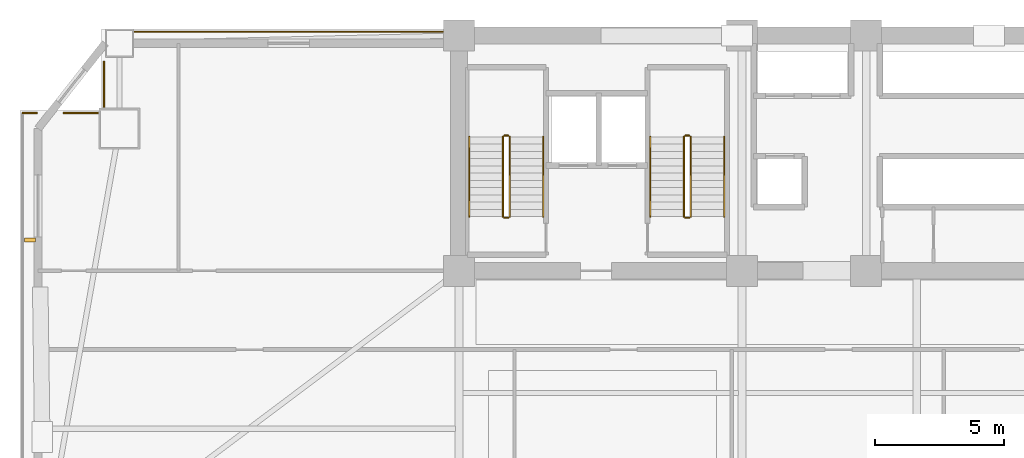
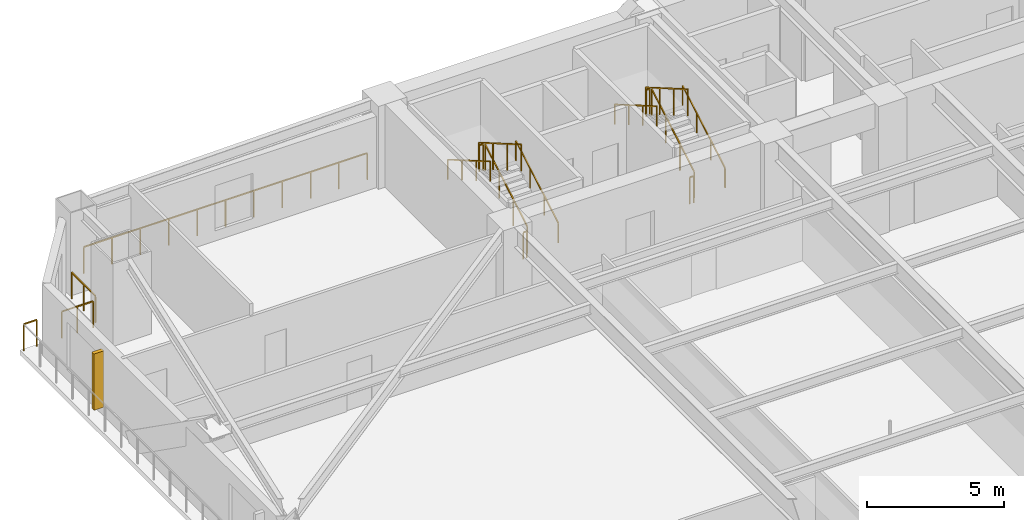
# One storey, part 15 of 17: 16 railings, 1 shading device.
"""IFC4 building model written with IfcOpenShell, lengths in metres."""

from ifc_helpers import new_model, si_unit, direction, frame, origin, origin_2d, place, context, subcontext, project, spatial, rectangle, extrude, source, transform, mapped, material, type_object, element, save


model = new_model("IFC4")

# Units and contexts
model_context = context("Model", 3, precision=1e-05, world=origin(), true_north=direction((0.0, 1.0)))
body_context = subcontext(model_context, "Body", "Model", "MODEL_VIEW")
ifc_project = project(units=[si_unit("LENGTHUNIT", "METRE"), si_unit("AREAUNIT", "SQUARE_METRE"), si_unit("VOLUMEUNIT", "CUBIC_METRE"), si_unit("PLANEANGLEUNIT", "RADIAN"), si_unit("MASSUNIT", "GRAM", prefix="KILO")], contexts=[model_context])

# Site, building, storey
site_placement = place(None, origin())
site = spatial("IfcSite", under=ifc_project, at=site_placement, CompositionType="ELEMENT")
building_placement = place(site_placement, origin())
building = spatial("IfcBuilding", under=site, at=building_placement, Name="Giltprow Tower", CompositionType="ELEMENT")
storey_placement = place(building_placement, frame((0.0, 0.0, 53.300048828125)))
storey = spatial("IfcBuildingStorey", under=building, at=storey_placement, Name="L13", CompositionType="ELEMENT", Elevation=53.300048828125)

# Railings
ifc_material = material(Name="Anodized bronze", Category="metal")
railing_type_1 = type_object("IfcRailingType", Name="RAIL-BALC-GUARD-1200", PredefinedType="BALUSTRADE", material=ifc_material)
railing_1_placement = place(storey_placement, frame((2.969970703125, 43.552001953125, 0.0)))
element("IfcRailing", 1, at=railing_1_placement, inside=storey, type_object=railing_type_1, Name="L13 Corner Apron Edge Balustrade 6", PredefinedType="BALUSTRADE", context=body_context, shape_type="SweptSolid", body=[
    extrude(rectangle(XDim=0.048095703125, YDim=0.048095703125, at=origin_2d()), frame((0.0, 0.0, 1.17578125), z_axis=(1.0, 0.0, 0.0), x_axis=(0.0, 1.0, 0.0)), (0.0, 0.0, 1.0), 0.551025390625),
    extrude(rectangle(XDim=0.0419921875, YDim=0.0419921875, at=origin_2d()), origin(), (0.0, 0.0, 1.0), 1.15185546875),
    extrude(rectangle(XDim=0.0419921875, YDim=0.0419921875, at=origin_2d()), frame((0.551025390625, 0.0, 0.0)), (0.0, 0.0, 1.0), 1.15185546875),
])
railing_2_placement = place(storey_placement, frame((4.56494140625, 43.552001953125, 0.0)))
element("IfcRailing", 2, at=railing_2_placement, inside=storey, type_object=railing_type_1, Name="L13 Corner Apron Edge Balustrade 7", PredefinedType="BALUSTRADE", context=body_context, shape_type="SweptSolid", body=[
    extrude(rectangle(XDim=0.048095703125, YDim=0.048095703125, at=origin_2d()), frame((0.0, 0.0, 1.17578125), z_axis=(1.0, 0.0, 0.0), x_axis=(0.0, 1.0, 0.0)), (0.0, 0.0, 1.0), 1.318115234375),
    extrude(rectangle(XDim=0.0419921875, YDim=0.0419921875, at=origin_2d()), origin(), (0.0, 0.0, 1.0), 1.15185546875),
    extrude(rectangle(XDim=0.0419921875, YDim=0.0419921875, at=origin_2d()), frame((0.6591796875, 0.0, 0.0)), (0.0, 0.0, 1.0), 1.15185546875),
    extrude(rectangle(XDim=0.0419921875, YDim=0.0419921875, at=origin_2d()), frame((1.318115234375, 0.0, 0.0)), (0.0, 0.0, 1.0), 1.15185546875),
])
railing_3_placement = place(storey_placement, frame((6.117919921875, 43.787109375, 0.0)))
element("IfcRailing", 3, at=railing_3_placement, inside=storey, type_object=railing_type_1, Name="L13 Corner Apron Edge Balustrade 8", PredefinedType="BALUSTRADE", context=body_context, shape_type="SweptSolid", body=[
    extrude(rectangle(XDim=0.048095703125, YDim=0.048095703125, at=origin_2d()), frame((0.0, 0.0, 1.17578125), z_axis=(0.0, 1.0, 0.0), x_axis=(-1.0, 0.0, 0.0)), (0.0, 0.0, 1.0), 1.73681640625),
    extrude(rectangle(XDim=0.0419921875, YDim=0.0419921875, at=origin_2d()), origin(), (0.0, 0.0, 1.0), 1.15185546875),
    extrude(rectangle(XDim=0.0419921875, YDim=0.0419921875, at=origin_2d()), frame((0.0, 0.868408203125, 0.0)), (0.0, 0.0, 1.0), 1.15185546875),
    extrude(rectangle(XDim=0.0419921875, YDim=0.0419921875, at=origin_2d()), frame((0.0, 1.73681640625, 0.0)), (0.0, 0.0, 1.0), 1.15185546875),
])
railing_4_placement = place(storey_placement, frame((7.302978515625, 46.699951171875, 0.0)))
element("IfcRailing", 4, at=railing_4_placement, inside=storey, type_object=railing_type_1, Name="L13 Corner Apron Edge Balustrade 9", PredefinedType="BALUSTRADE", context=body_context, shape_type="SweptSolid", body=[
    extrude(rectangle(XDim=0.048095703125, YDim=0.048095703125, at=origin_2d()), frame((0.0, 0.0, 1.17578125), z_axis=(1.0, 0.0, 0.0), x_axis=(0.0, 1.0, 0.0)), (0.0, 0.0, 1.0), 11.912109375),
    extrude(rectangle(XDim=0.0419921875, YDim=0.0419921875, at=origin_2d()), origin(), (0.0, 0.0, 1.0), 1.15185546875),
    extrude(rectangle(XDim=0.0419921875, YDim=0.0419921875, at=origin_2d()), frame((1.191162109375, 0.0, 0.0)), (0.0, 0.0, 1.0), 1.15185546875),
    extrude(rectangle(XDim=0.0419921875, YDim=0.0419921875, at=origin_2d()), frame((2.38232421875, 0.0, 0.0)), (0.0, 0.0, 1.0), 1.15185546875),
    extrude(rectangle(XDim=0.0419921875, YDim=0.0419921875, at=origin_2d()), frame((3.57373046875, 0.0, 0.0)), (0.0, 0.0, 1.0), 1.15185546875),
    extrude(rectangle(XDim=0.0419921875, YDim=0.0419921875, at=origin_2d()), frame((4.764892578125, 0.0, 0.0)), (0.0, 0.0, 1.0), 1.15185546875),
    extrude(rectangle(XDim=0.0419921875, YDim=0.0419921875, at=origin_2d()), frame((5.9560546875, 0.0, 0.0)), (0.0, 0.0, 1.0), 1.15185546875),
    extrude(rectangle(XDim=0.0419921875, YDim=0.0419921875, at=origin_2d()), frame((7.147216796875, 0.0, 0.0)), (0.0, 0.0, 1.0), 1.15185546875),
    extrude(rectangle(XDim=0.0419921875, YDim=0.0419921875, at=origin_2d()), frame((8.33837890625, 0.0, 0.0)), (0.0, 0.0, 1.0), 1.15185546875),
    extrude(rectangle(XDim=0.0419921875, YDim=0.0419921875, at=origin_2d()), frame((9.52978515625, 0.0, 0.0)), (0.0, 0.0, 1.0), 1.15185546875),
    extrude(rectangle(XDim=0.0419921875, YDim=0.0419921875, at=origin_2d()), frame((10.720947265625, 0.0, 0.0)), (0.0, 0.0, 1.0), 1.15185546875),
    extrude(rectangle(XDim=0.0419921875, YDim=0.0419921875, at=origin_2d()), frame((11.912109375, 0.0, 0.0)), (0.0, 0.0, 1.0), 1.15185546875),
])
railing_type_2 = type_object("IfcRailingType", Name="RAIL-STAIR-GUARD-1200", PredefinedType="GUARDRAIL", material=ifc_material)
railing_5_placement = place(storey_placement, frame((21.81005859375, 39.550048828125, 0.162353515625)))
element("IfcRailing", 5, at=railing_5_placement, inside=storey, type_object=railing_type_2, Name="L13 ST-1 stair guard 1", PredefinedType="GUARDRAIL", context=body_context, shape_type="SweptSolid", body=[
    extrude(rectangle(XDim=0.048095703125, YDim=0.048095703125, at=origin_2d()), frame((0.0, 0.0, 1.17578125), z_axis=(0.0, 0.864873446163, 0.501989962173), x_axis=(-1.0, 0.0, 0.0)), (0.0, 0.0, 1.0), 3.56103515625),
    extrude(rectangle(XDim=0.0419921875, YDim=0.0419921875, at=origin_2d()), origin(), (0.0, 0.0, 1.0), 1.15185546875),
    extrude(rectangle(XDim=0.0419921875, YDim=0.0419921875, at=origin_2d()), frame((0.0, 1.026611328125, 0.595947265625)), (0.0, 0.0, 1.0), 1.15185546875),
    extrude(rectangle(XDim=0.0419921875, YDim=0.0419921875, at=origin_2d()), frame((0.0, 2.05322265625, 1.191650390625)), (0.0, 0.0, 1.0), 1.15185546875),
    extrude(rectangle(XDim=0.0419921875, YDim=0.0419921875, at=origin_2d()), frame((0.0, 3.079833984375, 1.78759765625)), (0.0, 0.0, 1.0), 1.15185546875),
])
railing_6_placement = place(storey_placement, frame((21.760009765625, 42.679931640625, 1.949951171875)))
element("IfcRailing", 6, at=railing_6_placement, inside=storey, type_object=railing_type_2, Name="L13 ST-1 stair guard 2", PredefinedType="GUARDRAIL", context=body_context, shape_type="SweptSolid", body=[
    extrude(rectangle(XDim=0.048095703125, YDim=0.048095703125, at=origin_2d()), frame((0.0, 0.0, 1.17578125), z_axis=(-1.0, 0.0, 0.0), x_axis=(0.0, -1.0, 0.0)), (0.0, 0.0, 1.0), 0.159912109375),
    extrude(rectangle(XDim=0.0419921875, YDim=0.0419921875, at=origin_2d()), origin(), (0.0, 0.0, 1.0), 1.15185546875),
    extrude(rectangle(XDim=0.0419921875, YDim=0.0419921875, at=origin_2d()), frame((-0.159912109375, 0.0, 0.0)), (0.0, 0.0, 1.0), 1.15185546875),
])
railing_7_placement = place(storey_placement, frame((21.550048828125, 42.6298828125, 2.112548828125)))
element("IfcRailing", 7, at=railing_7_placement, inside=storey, type_object=railing_type_2, Name="L13 ST-1 stair guard 3", PredefinedType="GUARDRAIL", context=body_context, shape_type="SweptSolid", body=[
    extrude(rectangle(XDim=0.048095703125, YDim=0.048095703125, at=origin_2d()), frame((0.0, 0.0, 1.17578125), z_axis=(0.0, -0.864903211148, 0.501938676878), x_axis=(1.0, 0.0, 0.0)), (0.0, 0.0, 1.0), 3.560791015625),
    extrude(rectangle(XDim=0.0419921875, YDim=0.0419921875, at=origin_2d()), origin(), (0.0, 0.0, 1.0), 1.15185546875),
    extrude(rectangle(XDim=0.0419921875, YDim=0.0419921875, at=origin_2d()), frame((0.0, -1.026611328125, 0.595703125)), (0.0, 0.0, 1.0), 1.15185546875),
    extrude(rectangle(XDim=0.0419921875, YDim=0.0419921875, at=origin_2d()), frame((0.0, -2.05322265625, 1.191650390625)), (0.0, 0.0, 1.0), 1.15185546875),
    extrude(rectangle(XDim=0.0419921875, YDim=0.0419921875, at=origin_2d()), frame((0.0, -3.079833984375, 1.787353515625)), (0.0, 0.0, 1.0), 1.15185546875),
])
railing_8_placement = place(storey_placement, frame((21.760009765625, 39.5, 0.0)))
element("IfcRailing", 8, at=railing_8_placement, inside=storey, type_object=railing_type_2, Name="L13 ST-1 stair guard 4", PredefinedType="GUARDRAIL", context=body_context, shape_type="SweptSolid", body=[
    extrude(rectangle(XDim=0.048095703125, YDim=0.048095703125, at=origin_2d()), frame((0.0, 0.0, 1.17578125), z_axis=(-1.0, 0.0, 0.0), x_axis=(0.0, -1.0, 0.0)), (0.0, 0.0, 1.0), 0.159912109375),
    extrude(rectangle(XDim=0.0419921875, YDim=0.0419921875, at=origin_2d()), origin(), (0.0, 0.0, 1.0), 1.15185546875),
    extrude(rectangle(XDim=0.0419921875, YDim=0.0419921875, at=origin_2d()), frame((-0.159912109375, 0.0, 0.0)), (0.0, 0.0, 1.0), 1.15185546875),
])
railing_9_placement = place(storey_placement, frame((28.81005859375, 39.550048828125, 0.162353515625)))
element("IfcRailing", 9, at=railing_9_placement, inside=storey, type_object=railing_type_2, Name="L13 ST-2 stair guard 1", PredefinedType="GUARDRAIL", context=body_context, shape_type="SweptSolid", body=[
    extrude(rectangle(XDim=0.048095703125, YDim=0.048095703125, at=origin_2d()), frame((0.0, 0.0, 1.17578125), z_axis=(0.0, 0.864873446163, 0.501989962173), x_axis=(-1.0, 0.0, 0.0)), (0.0, 0.0, 1.0), 3.56103515625),
    extrude(rectangle(XDim=0.0419921875, YDim=0.0419921875, at=origin_2d()), origin(), (0.0, 0.0, 1.0), 1.15185546875),
    extrude(rectangle(XDim=0.0419921875, YDim=0.0419921875, at=origin_2d()), frame((0.0, 1.026611328125, 0.595947265625)), (0.0, 0.0, 1.0), 1.15185546875),
    extrude(rectangle(XDim=0.0419921875, YDim=0.0419921875, at=origin_2d()), frame((0.0, 2.05322265625, 1.191650390625)), (0.0, 0.0, 1.0), 1.15185546875),
    extrude(rectangle(XDim=0.0419921875, YDim=0.0419921875, at=origin_2d()), frame((0.0, 3.079833984375, 1.78759765625)), (0.0, 0.0, 1.0), 1.15185546875),
])
railing_10_placement = place(storey_placement, frame((28.760009765625, 42.679931640625, 1.949951171875)))
element("IfcRailing", 10, at=railing_10_placement, inside=storey, type_object=railing_type_2, Name="L13 ST-2 stair guard 2", PredefinedType="GUARDRAIL", context=body_context, shape_type="SweptSolid", body=[
    extrude(rectangle(XDim=0.048095703125, YDim=0.048095703125, at=origin_2d()), frame((0.0, 0.0, 1.17578125), z_axis=(-1.0, 0.0, 0.0), x_axis=(0.0, -1.0, 0.0)), (0.0, 0.0, 1.0), 0.159912109375),
    extrude(rectangle(XDim=0.0419921875, YDim=0.0419921875, at=origin_2d()), origin(), (0.0, 0.0, 1.0), 1.15185546875),
    extrude(rectangle(XDim=0.0419921875, YDim=0.0419921875, at=origin_2d()), frame((-0.159912109375, 0.0, 0.0)), (0.0, 0.0, 1.0), 1.15185546875),
])
railing_11_placement = place(storey_placement, frame((28.550048828125, 42.6298828125, 2.112548828125)))
element("IfcRailing", 11, at=railing_11_placement, inside=storey, type_object=railing_type_2, Name="L13 ST-2 stair guard 3", PredefinedType="GUARDRAIL", context=body_context, shape_type="SweptSolid", body=[
    extrude(rectangle(XDim=0.048095703125, YDim=0.048095703125, at=origin_2d()), frame((0.0, 0.0, 1.17578125), z_axis=(0.0, -0.864903211148, 0.501938676878), x_axis=(1.0, 0.0, 0.0)), (0.0, 0.0, 1.0), 3.560791015625),
    extrude(rectangle(XDim=0.0419921875, YDim=0.0419921875, at=origin_2d()), origin(), (0.0, 0.0, 1.0), 1.15185546875),
    extrude(rectangle(XDim=0.0419921875, YDim=0.0419921875, at=origin_2d()), frame((0.0, -1.026611328125, 0.595703125)), (0.0, 0.0, 1.0), 1.15185546875),
    extrude(rectangle(XDim=0.0419921875, YDim=0.0419921875, at=origin_2d()), frame((0.0, -2.05322265625, 1.191650390625)), (0.0, 0.0, 1.0), 1.15185546875),
    extrude(rectangle(XDim=0.0419921875, YDim=0.0419921875, at=origin_2d()), frame((0.0, -3.079833984375, 1.787353515625)), (0.0, 0.0, 1.0), 1.15185546875),
])
railing_12_placement = place(storey_placement, frame((28.760009765625, 39.5, 0.0)))
element("IfcRailing", 12, at=railing_12_placement, inside=storey, type_object=railing_type_2, Name="L13 ST-2 stair guard 4", PredefinedType="GUARDRAIL", context=body_context, shape_type="SweptSolid", body=[
    extrude(rectangle(XDim=0.048095703125, YDim=0.048095703125, at=origin_2d()), frame((0.0, 0.0, 1.17578125), z_axis=(-1.0, 0.0, 0.0), x_axis=(0.0, -1.0, 0.0)), (0.0, 0.0, 1.0), 0.159912109375),
    extrude(rectangle(XDim=0.0419921875, YDim=0.0419921875, at=origin_2d()), origin(), (0.0, 0.0, 1.0), 1.15185546875),
    extrude(rectangle(XDim=0.0419921875, YDim=0.0419921875, at=origin_2d()), frame((-0.159912109375, 0.0, 0.0)), (0.0, 0.0, 1.0), 1.15185546875),
])
railing_type_3 = type_object("IfcRailingType", Name="RAIL-STAIR-HAND-900", PredefinedType="HANDRAIL", material=ifc_material)
railing_13_placement = place(storey_placement, frame((23.110107421875, 39.550048828125, 0.162353515625)))
element("IfcRailing", 13, at=railing_13_placement, inside=storey, type_object=railing_type_3, Name="L13 ST-1 stair handrail 1", PredefinedType="HANDRAIL", context=body_context, shape_type="SweptSolid", body=[
    extrude(rectangle(XDim=0.048095703125, YDim=0.048095703125, at=origin_2d()), frame((0.0, 0.0, 0.8759765625), z_axis=(0.0, 0.864873446163, 0.501989962173), x_axis=(-1.0, 0.0, 0.0)), (0.0, 0.0, 1.0), 3.56103515625),
    extrude(rectangle(XDim=0.0419921875, YDim=0.0419921875, at=origin_2d()), origin(), (0.0, 0.0, 1.0), 0.851806640625),
    extrude(rectangle(XDim=0.0419921875, YDim=0.0419921875, at=origin_2d()), frame((0.0, 1.026611328125, 0.595947265625)), (0.0, 0.0, 1.0), 0.851806640625),
    extrude(rectangle(XDim=0.0419921875, YDim=0.0419921875, at=origin_2d()), frame((0.0, 2.05322265625, 1.191650390625)), (0.0, 0.0, 1.0), 0.851806640625),
    extrude(rectangle(XDim=0.0419921875, YDim=0.0419921875, at=origin_2d()), frame((0.0, 3.079833984375, 1.78759765625)), (0.0, 0.0, 1.0), 0.851806640625),
])
railing_14_placement = place(storey_placement, frame((20.25, 42.6298828125, 2.112548828125)))
element("IfcRailing", 14, at=railing_14_placement, inside=storey, type_object=railing_type_3, Name="L13 ST-1 stair handrail 2", PredefinedType="HANDRAIL", context=body_context, shape_type="SweptSolid", body=[
    extrude(rectangle(XDim=0.048095703125, YDim=0.048095703125, at=origin_2d()), frame((0.0, 0.0, 0.8759765625), z_axis=(0.0, -0.864903211148, 0.501938676878), x_axis=(1.0, 0.0, 0.0)), (0.0, 0.0, 1.0), 3.560791015625),
    extrude(rectangle(XDim=0.0419921875, YDim=0.0419921875, at=origin_2d()), origin(), (0.0, 0.0, 1.0), 0.851806640625),
    extrude(rectangle(XDim=0.0419921875, YDim=0.0419921875, at=origin_2d()), frame((0.0, -1.026611328125, 0.595703125)), (0.0, 0.0, 1.0), 0.851806640625),
    extrude(rectangle(XDim=0.0419921875, YDim=0.0419921875, at=origin_2d()), frame((0.0, -2.05322265625, 1.191650390625)), (0.0, 0.0, 1.0), 0.851806640625),
    extrude(rectangle(XDim=0.0419921875, YDim=0.0419921875, at=origin_2d()), frame((0.0, -3.079833984375, 1.787353515625)), (0.0, 0.0, 1.0), 0.851806640625),
])
railing_15_placement = place(storey_placement, frame((30.110107421875, 39.550048828125, 0.162353515625)))
element("IfcRailing", 15, at=railing_15_placement, inside=storey, type_object=railing_type_3, Name="L13 ST-2 stair handrail 1", PredefinedType="HANDRAIL", context=body_context, shape_type="SweptSolid", body=[
    extrude(rectangle(XDim=0.048095703125, YDim=0.048095703125, at=origin_2d()), frame((0.0, 0.0, 0.8759765625), z_axis=(0.0, 0.864873446163, 0.501989962173), x_axis=(-1.0, 0.0, 0.0)), (0.0, 0.0, 1.0), 3.56103515625),
    extrude(rectangle(XDim=0.0419921875, YDim=0.0419921875, at=origin_2d()), origin(), (0.0, 0.0, 1.0), 0.851806640625),
    extrude(rectangle(XDim=0.0419921875, YDim=0.0419921875, at=origin_2d()), frame((0.0, 1.026611328125, 0.595947265625)), (0.0, 0.0, 1.0), 0.851806640625),
    extrude(rectangle(XDim=0.0419921875, YDim=0.0419921875, at=origin_2d()), frame((0.0, 2.05322265625, 1.191650390625)), (0.0, 0.0, 1.0), 0.851806640625),
    extrude(rectangle(XDim=0.0419921875, YDim=0.0419921875, at=origin_2d()), frame((0.0, 3.079833984375, 1.78759765625)), (0.0, 0.0, 1.0), 0.851806640625),
])
railing_16_placement = place(storey_placement, frame((27.25, 42.6298828125, 2.112548828125)))
element("IfcRailing", 16, at=railing_16_placement, inside=storey, type_object=railing_type_3, Name="L13 ST-2 stair handrail 2", PredefinedType="HANDRAIL", context=body_context, shape_type="SweptSolid", body=[
    extrude(rectangle(XDim=0.048095703125, YDim=0.048095703125, at=origin_2d()), frame((0.0, 0.0, 0.8759765625), z_axis=(0.0, -0.864903211148, 0.501938676878), x_axis=(1.0, 0.0, 0.0)), (0.0, 0.0, 1.0), 3.560791015625),
    extrude(rectangle(XDim=0.0419921875, YDim=0.0419921875, at=origin_2d()), origin(), (0.0, 0.0, 1.0), 0.851806640625),
    extrude(rectangle(XDim=0.0419921875, YDim=0.0419921875, at=origin_2d()), frame((0.0, -1.026611328125, 0.595703125)), (0.0, 0.0, 1.0), 0.851806640625),
    extrude(rectangle(XDim=0.0419921875, YDim=0.0419921875, at=origin_2d()), frame((0.0, -2.05322265625, 1.191650390625)), (0.0, 0.0, 1.0), 0.851806640625),
    extrude(rectangle(XDim=0.0419921875, YDim=0.0419921875, at=origin_2d()), frame((0.0, -3.079833984375, 1.787353515625)), (0.0, 0.0, 1.0), 0.851806640625),
])

# Shading device
shading_device_type = type_object("IfcShadingDeviceType", Name="SHD-FIN-420", PredefinedType="USERDEFINED", material=ifc_material)
shared_shape = source(origin(), body_context, "Body", "SweptSolid", [
    extrude(rectangle(XDim=0.419921875, YDim=0.159912109375, at=origin_2d()), origin(), (0.0, 0.0, 1.0), 2.5),
])
shading_device_placement = place(storey_placement, frame((3.25, 38.637939453125, 0.349853515625), z_axis=(0.0, 0.0, 1.0), x_axis=(1.0, 0.0, 0.0)))
element("IfcShadingDevice", 17, at=shading_device_placement, inside=storey, type_object=shading_device_type, Name="L13 W Bronze Vertical Fin 2-2", ObjectType="FIN", PredefinedType="USERDEFINED", context=body_context, shape_type="MappedRepresentation", body=[
    mapped(shared_shape, transform((0.0, 0.0, 0.0), x_axis=(1.0, 0.0, 0.0), y_axis=(0.0, 1.0, 0.0), z_axis=(0.0, 0.0, 1.0), scale=1.0)),
])

save(model, "model.ifc")
